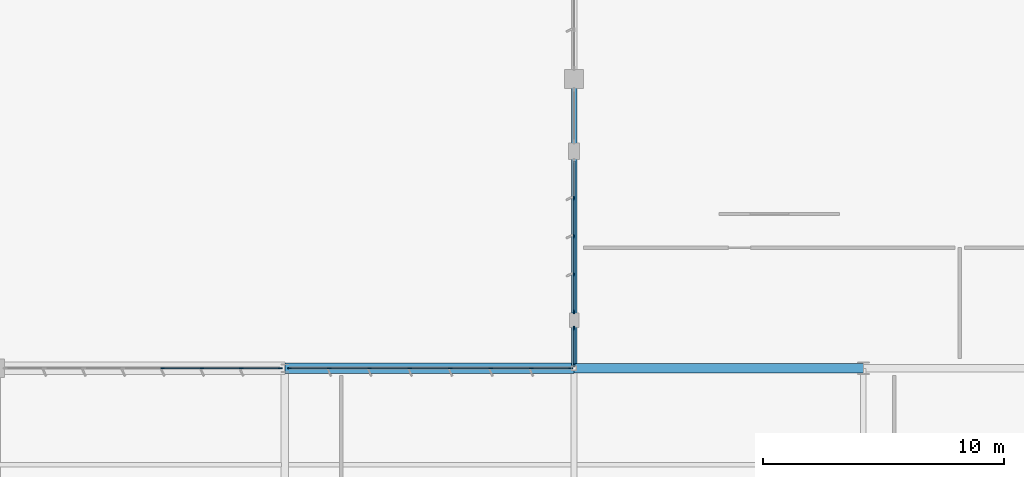
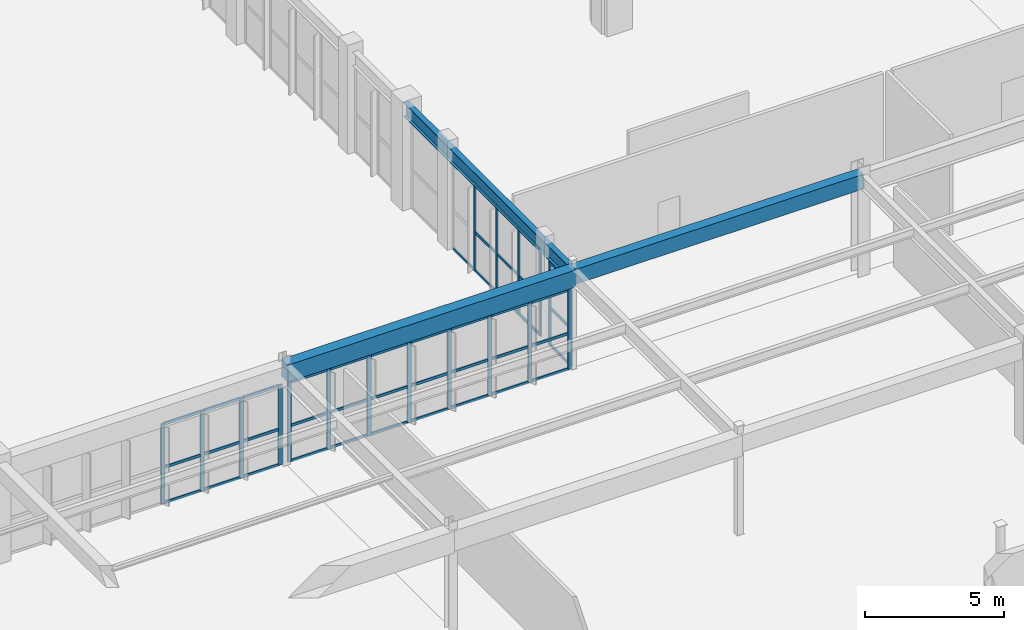
# One storey, part 79 of 199: 61 members, 3 beams, 4 elements without a shape of their own.
"""IFC4 building model written with IfcOpenShell, lengths in metres."""

import ifcopenshell
import ifcopenshell.guid

model = None  # the IFC model being written
_history = None  # IfcOwnerHistory: only IFC2X3 demands one
_inside = {}  # id of a spatial element -> (the spatial element, [elements in it])
_under = {}  # id of a project, library or spatial element -> (it, [spatial elements below it])
_declared = {}  # id of a project -> (the project, [libraries it declares])
_typed = {}  # id of a type object -> (the type object, [elements of that type])
_made_of = {}  # id of a material, layer set ... -> (it, [elements and type objects made of it])


def new_model(schema):
    """Start an empty IFC model of exactly this schema.

    Asked for "IFC4X3", IfcOpenShell would pick the latest addendum, in which some entities
    have other attributes; the version numbers below select the first issue.
    IFC2X3 requires an IfcOwnerHistory on every rooted entity: one is made here for all.
    """
    global model, _history
    if schema == "IFC4X3":
        model = ifcopenshell.file(schema_version=(4, 3, 0, 0))
    else:
        model = ifcopenshell.file(schema=schema)
    _inside.clear()
    _under.clear()
    _declared.clear()
    _typed.clear()
    _made_of.clear()
    _history = None
    if model.schema == "IFC2X3":
        org = make("IfcOrganization", Name="unknown")
        user = make(
            "IfcPersonAndOrganization",
            ThePerson=make("IfcPerson", FamilyName="unknown"),
            TheOrganization=org,
        )
        app = make(
            "IfcApplication",
            ApplicationDeveloper=org,
            Version="unknown",
            ApplicationFullName="unknown",
            ApplicationIdentifier="unknown",
        )
        _history = make(
            "IfcOwnerHistory",
            OwningUser=user,
            OwningApplication=app,
            ChangeAction="ADDED",
            CreationDate=0,
        )
    return model


def make(cls, **values):
    """One entity of the class cls with the attributes given. An attribute that is None is left unset."""
    return model.create_entity(
        cls, **{name: value for name, value in values.items() if value is not None}
    )


def rooted(cls, **values):
    """An entity with a GlobalId (a new one), such as an element, a storey or a relation."""
    return make(cls, GlobalId=ifcopenshell.guid.new(), OwnerHistory=_history, **values)


def si_unit(unit_type, name, prefix=None):
    """IfcSIUnit, for example si_unit("LENGTHUNIT", "METRE", prefix="MILLI")."""
    return make("IfcSIUnit", UnitType=unit_type, Prefix=prefix, Name=name)


def assignment(units):
    """IfcUnitAssignment: the units of a project."""
    return None if units is None else make("IfcUnitAssignment", Units=units)


def point(xyz):
    """IfcCartesianPoint."""
    return None if xyz is None else make("IfcCartesianPoint", Coordinates=xyz)


def direction(xyz):
    """IfcDirection."""
    return None if xyz is None else make("IfcDirection", DirectionRatios=xyz)


def frame(location, z_axis=None, x_axis=None):
    """IfcAxis2Placement3D, a coordinate frame: its origin and axes. An axis left out is left unset."""
    return make(
        "IfcAxis2Placement3D",
        Location=point(location),
        Axis=direction(z_axis),
        RefDirection=direction(x_axis),
    )


def frame_2d(location, x_axis=None):
    """IfcAxis2Placement2D, a coordinate frame in the plane: its origin and x axis."""
    return make(
        "IfcAxis2Placement2D", Location=point(location), RefDirection=direction(x_axis)
    )


def origin():
    """The frame at (0, 0, 0) with its axes left unset."""
    return frame((0.0, 0.0, 0.0))


def origin_2d():
    """The frame at (0, 0) in the plane with its x axis left unset."""
    return frame_2d((0.0, 0.0))


def place(relative_to, where):
    """IfcLocalPlacement: puts the frame where relative to a parent placement (None: the world)."""
    return make(
        "IfcLocalPlacement", PlacementRelTo=relative_to, RelativePlacement=where
    )


def context(
    kind, dimensions, precision=None, world=None, true_north=None, identifier=None
):
    """IfcGeometricRepresentationContext, for example the 3D "Model" context."""
    return make(
        "IfcGeometricRepresentationContext",
        ContextIdentifier=identifier,
        ContextType=kind,
        CoordinateSpaceDimension=dimensions,
        Precision=precision,
        WorldCoordinateSystem=world,
        TrueNorth=true_north,
    )


def subcontext(parent, identifier, kind, view, scale=None):
    """IfcGeometricRepresentationSubContext, for example "Body" below "Model"."""
    return make(
        "IfcGeometricRepresentationSubContext",
        ContextIdentifier=identifier,
        ContextType=kind,
        ParentContext=parent,
        TargetScale=scale,
        TargetView=view,
    )


def project(units=None, contexts=None):
    """IfcProject with its units and contexts."""
    return rooted(
        "IfcProject",
        Name="project",
        RepresentationContexts=contexts,
        UnitsInContext=assignment(units),
    )


def spatial(cls, under=None, at=None, **own):
    """A site, building, storey or space (cls), placed at a placement, below another one or the project."""
    s = rooted(cls, ObjectPlacement=at, **own)
    if under is not None:
        _under.setdefault(under.id(), (under, []))[1].append(s)
    return s


def profile(cls, at=None, kind="AREA", **sizes):
    """A parametric profile (cls). Its sizes go by their IFC names, for example OverallWidth=200.0."""
    return make(cls, ProfileType=kind, Position=at, **sizes)


def rectangle(**sizes):
    """IfcRectangleProfileDef."""
    return profile("IfcRectangleProfileDef", **sizes)


def i_section(**sizes):
    """IfcIShapeProfileDef."""
    return profile("IfcIShapeProfileDef", **sizes)


def extrude(swept, where, along, depth):
    """IfcExtrudedAreaSolid: the profile swept, set in the frame where, extruded along a direction by depth."""
    return make(
        "IfcExtrudedAreaSolid",
        SweptArea=swept,
        Position=where,
        ExtrudedDirection=direction(along),
        Depth=depth,
    )


def shape(context_of_items, identifier, shape_type, items):
    """IfcShapeRepresentation: the items that make up one representation, for example the "Body"."""
    return make(
        "IfcShapeRepresentation",
        ContextOfItems=context_of_items,
        RepresentationIdentifier=identifier,
        RepresentationType=shape_type,
        Items=items,
    )


def material(Name=None, Category=None):
    """IfcMaterial."""
    return make("IfcMaterial", Name=Name, Category=Category)


def layer(
    of_material, thickness, ventilated=None, Name=None, Category=None, Priority=None
):
    """IfcMaterialLayer: one layer of a wall or slab, of a material (None: an air gap)."""
    return make(
        "IfcMaterialLayer",
        Material=of_material,
        LayerThickness=thickness,
        IsVentilated=ventilated,
        Name=Name,
        Category=Category,
        Priority=Priority,
    )


def layer_set(layers, Name=None):
    """IfcMaterialLayerSet."""
    return make("IfcMaterialLayerSet", MaterialLayers=layers, LayerSetName=Name)


def material_profile(
    of_material, cross_section, Name=None, Category=None, Priority=None
):
    """IfcMaterialProfile: a cross section and its material."""
    return make(
        "IfcMaterialProfile",
        Name=Name,
        Material=of_material,
        Profile=cross_section,
        Priority=Priority,
        Category=Category,
    )


def profile_set(profiles, Name=None, composite=None):
    """IfcMaterialProfileSet."""
    return make(
        "IfcMaterialProfileSet",
        Name=Name,
        MaterialProfiles=profiles,
        CompositeProfile=composite,
    )


def made_of(thing, what):
    """Note that an element or type object is made of a material, layer set ...; save() writes the relation."""
    if what is not None:
        _made_of.setdefault(what.id(), (what, []))[1].append(thing)
    return thing


def type_object(cls, material=None, **own):
    """A type object (cls), such as IfcWallType, which elements share."""
    return made_of(rooted(cls, **own), material)


def element(
    cls,
    number,
    at=None,
    inside=None,
    cuts=None,
    type_object=None,
    material=None,
    context=None,
    identifier="Body",
    shape_type=None,
    held_by="IfcProductDefinitionShape",
    body=None,
    shapes=None,
    **own,
):
    """One element of the class cls, such as IfcWall. Its Tag is "e" and its number.

    at: its placement. inside: the storey or other place that contains it. cuts: it is an
    opening in that element (IfcRelVoidsElement). A single representation is given by context,
    identifier, shape_type and body (its items); several are given by shapes. held_by: the class
    of the entity that holds the representations. save() writes the other relations.
    """
    e = rooted(cls, Tag="e%d" % number, ObjectPlacement=at, **own)
    if body is not None:
        shapes = [shape(context, identifier, shape_type, body)]
    if shapes is not None:
        e.Representation = make(held_by, Representations=shapes)
    if inside is not None:
        _inside.setdefault(inside.id(), (inside, []))[1].append(e)
    if cuts is not None:
        rooted(
            "IfcRelVoidsElement", RelatingBuildingElement=cuts, RelatedOpeningElement=e
        )
    if type_object is not None:
        _typed.setdefault(type_object.id(), (type_object, []))[1].append(e)
    return made_of(e, material)


def aggregate(whole, parts):
    """IfcRelAggregates: a whole, such as a stair, and the parts it consists of."""
    return rooted("IfcRelAggregates", RelatingObject=whole, RelatedObjects=parts)


def save(model, path):
    """Write the relations noted so far, then the file.

    IfcRelAggregates (storeys below a building ...), IfcRelContainedInSpatialStructure (elements
    in a storey), IfcRelDefinesByType, IfcRelAssociatesMaterial and IfcRelDeclares: one each for
    every whole, place, type object, material and project.
    """
    for whole, parts in _under.values():
        aggregate(whole, parts)
    for where, things in _inside.values():
        rooted(
            "IfcRelContainedInSpatialStructure",
            RelatedElements=things,
            RelatingStructure=where,
        )
    for kind, things in _typed.values():
        rooted("IfcRelDefinesByType", RelatedObjects=things, RelatingType=kind)
    for what, things in _made_of.values():
        rooted("IfcRelAssociatesMaterial", RelatedObjects=things, RelatingMaterial=what)
    for by, libraries in _declared.values():
        rooted("IfcRelDeclares", RelatingContext=by, RelatedDefinitions=libraries)
    model.write(path)


model = new_model("IFC4")

# Units and contexts
model_context = context("Model", 3, precision=1e-05, world=origin(), true_north=direction((0.0, 1.0)))
body_context = subcontext(model_context, "Body", "Model", "MODEL_VIEW")
ifc_project = project(units=[si_unit("LENGTHUNIT", "METRE"), si_unit("AREAUNIT", "SQUARE_METRE"), si_unit("VOLUMEUNIT", "CUBIC_METRE"), si_unit("PLANEANGLEUNIT", "RADIAN"), si_unit("MASSUNIT", "GRAM", prefix="KILO")], contexts=[model_context])

# Site, building, storey
site_placement = place(None, origin())
site = spatial("IfcSite", under=ifc_project, at=site_placement, CompositionType="ELEMENT")
building_placement = place(site_placement, origin())
building = spatial("IfcBuilding", under=site, at=building_placement, Name="Tarnwether General Hospital", CompositionType="ELEMENT")
storey_placement = place(building_placement, origin())
storey = spatial("IfcBuildingStorey", under=building, at=storey_placement, Name="L00", CompositionType="ELEMENT", Elevation=0.0)

# Beams
ifc_material_1 = material(Name="Steel Grade 350 (350 MPa)", Category="steel")
ifc_material_profile_1 = material_profile(ifc_material_1, i_section(OverallWidth=0.22900390625, OverallDepth=0.612060546875, WebThickness=0.011962890625, FlangeThickness=0.01953125, at=origin_2d()), Name="610UB125")
ifc_profile_set_1 = profile_set([ifc_material_profile_1], Name="Steel Grade 350 (350 MPa)")
beam_type_1 = type_object("IfcBeamType", Name="BM-G03", PredefinedType="BEAM", material=ifc_profile_set_1)
beam_1_placement = place(storey_placement, frame((108.0, 45.60009765625, 4.138916015625), z_axis=(0.0, 1.0, 0.0), x_axis=(-1.0, 0.0, 0.0)))
element("IfcBeam", 1, at=beam_1_placement, inside=storey, type_object=beam_type_1, Name="Primary Girder BMG-L00-10800_4560-10800_5760-0750", PredefinedType="BEAM", context=body_context, shape_type="SweptSolid", body=[
    extrude(i_section(OverallWidth=0.22900390625, OverallDepth=0.612060546875, WebThickness=0.011962890625, FlangeThickness=0.01953125, at=origin_2d()), origin(), (0.0, 0.0, 1.0), 12.0),
])
ifc_material_2 = material(Name="Concrete 40 MPa", Category="concrete")
ifc_material_profile_2 = material_profile(ifc_material_2, rectangle(XDim=0.449951171875, YDim=0.75, at=origin_2d()), Name="RC-BM-450x750")
ifc_profile_set_2 = profile_set([ifc_material_profile_2], Name="Concrete 40 MPa")
beam_type_2 = type_object("IfcBeamType", Name="BM-G13", PredefinedType="BEAM", material=ifc_profile_set_2)
beam_2_placement = place(storey_placement, frame((96.0, 45.60009765625, 4.070068359375), z_axis=(1.0, 0.0, 0.0), x_axis=(0.0, 1.0, 0.0)))
element("IfcBeam", 2, at=beam_2_placement, inside=storey, type_object=beam_type_2, Name="Primary Girder BMG-L00-9600_4560-10800_4560-0738", PredefinedType="BEAM", context=body_context, shape_type="SweptSolid", body=[
    extrude(rectangle(XDim=0.449951171875, YDim=0.75, at=origin_2d()), origin(), (0.0, 0.0, 1.0), 12.0),
])
ifc_material_3 = material(Name="Concrete 40 MPa", Category="concrete")
ifc_material_profile_3 = material_profile(ifc_material_3, rectangle(XDim=0.39990234375, YDim=0.64990234375, at=origin_2d()), Name="RC-BM-400x650")
ifc_profile_set_3 = profile_set([ifc_material_profile_3], Name="Concrete 40 MPa")
beam_type_3 = type_object("IfcBeamType", Name="BM-G14", PredefinedType="BEAM", material=ifc_profile_set_3)
beam_3_placement = place(storey_placement, frame((108.0, 45.60009765625, 4.1201171875), z_axis=(1.0, 0.0, 0.0), x_axis=(0.0, 1.0, 0.0)))
element("IfcBeam", 3, at=beam_3_placement, inside=storey, type_object=beam_type_3, Name="Primary Girder BMG-L00-10800_4560-12000_4560-0749", PredefinedType="BEAM", context=body_context, shape_type="SweptSolid", body=[
    extrude(rectangle(XDim=0.39990234375, YDim=0.64990234375, at=origin_2d()), origin(), (0.0, 0.0, 1.0), 12.0),
])

# Curtain wall, members
ifc_material_4 = material(Name="Anodised aluminium", Category="aluminium")
ifc_layer_1 = layer(ifc_material_4, 0.179931640625)
ifc_layer_set_1 = layer_set([ifc_layer_1], Name="Anodised aluminium")
curtain_wall_type_1 = type_object("IfcCurtainWallType", Name="CW-08", PredefinedType="NOTDEFINED", material=ifc_layer_set_1)
curtain_wall_1_placement = place(storey_placement, origin())
curtain_wall_1 = element("IfcCurtainWall", 4, at=curtain_wall_1_placement, inside=storey, type_object=curtain_wall_type_1, Name="Curtain Wall CWG-L00-1080_457-0298", PredefinedType="NOTDEFINED")
ifc_material_5 = material(Name="Anodised aluminium", Category="aluminium")
ifc_material_profile_4 = material_profile(ifc_material_5, rectangle(XDim=0.06005859375, YDim=0.159912109375, at=origin_2d()), Name="ALU-MUL-60x160")
ifc_profile_set_4 = profile_set([ifc_material_profile_4], Name="Anodised aluminium")
member_type_1 = type_object("IfcMemberType", Name="CW-ML1", PredefinedType="MULLION", material=ifc_profile_set_4)
member_1_placement = place(storey_placement, frame((108.0, 45.738037109375, 0.0), z_axis=(0.0, 0.0, 1.0), x_axis=(-1.0, 0.0, 0.0)))
member_1 = element("IfcMember", 5, at=member_1_placement, type_object=member_type_1, Name="CW-08 mullion 1", PredefinedType="MULLION", context=body_context, shape_type="SweptSolid", body=[
    extrude(rectangle(XDim=0.06005859375, YDim=0.159912109375, at=origin_2d()), origin(), (0.0, 0.0, 1.0), 3.679931640625),
])
member_2_placement = place(storey_placement, frame((108.0, 47.261962890625, 0.0), z_axis=(0.0, 0.0, 1.0), x_axis=(-1.0, 0.0, 0.0)))
member_2 = element("IfcMember", 6, at=member_2_placement, type_object=member_type_1, Name="CW-08 mullion 2", PredefinedType="MULLION", context=body_context, shape_type="SweptSolid", body=[
    extrude(rectangle(XDim=0.06005859375, YDim=0.159912109375, at=origin_2d()), origin(), (0.0, 0.0, 1.0), 3.679931640625),
])

curtain_wall_2_placement = place(storey_placement, origin())
curtain_wall_2 = element("IfcCurtainWall", 7, at=curtain_wall_2_placement, inside=storey, type_object=curtain_wall_type_1, Name="Curtain Wall CWG-L00-1080_479-0299", PredefinedType="NOTDEFINED")
member_3_placement = place(storey_placement, frame((108.0, 47.93798828125, 0.0), z_axis=(0.0, 0.0, 1.0), x_axis=(-1.0, 0.0, 0.0)))
member_3 = element("IfcMember", 8, at=member_3_placement, type_object=member_type_1, Name="CW-08 mullion 1", PredefinedType="MULLION", context=body_context, shape_type="SweptSolid", body=[
    extrude(rectangle(XDim=0.06005859375, YDim=0.159912109375, at=origin_2d()), origin(), (0.0, 0.0, 1.0), 3.818115234375),
])
member_4_placement = place(storey_placement, frame((108.0, 49.491455078125, 0.0), z_axis=(0.0, 0.0, 1.0), x_axis=(-1.0, 0.0, 0.0)))
member_4 = element("IfcMember", 9, at=member_4_placement, type_object=member_type_1, Name="CW-08 mullion 2", PredefinedType="MULLION", context=body_context, shape_type="SweptSolid", body=[
    extrude(rectangle(XDim=0.06005859375, YDim=0.159912109375, at=origin_2d()), origin(), (0.0, 0.0, 1.0), 3.818115234375),
])
member_5_placement = place(storey_placement, frame((108.0, 51.074951171875, 0.0), z_axis=(0.0, 0.0, 1.0), x_axis=(-1.0, 0.0, 0.0)))
member_5 = element("IfcMember", 10, at=member_5_placement, type_object=member_type_1, Name="CW-08 mullion 3", PredefinedType="MULLION", context=body_context, shape_type="SweptSolid", body=[
    extrude(rectangle(XDim=0.06005859375, YDim=0.159912109375, at=origin_2d()), origin(), (0.0, 0.0, 1.0), 3.818115234375),
])
member_6_placement = place(storey_placement, frame((108.0, 52.658447265625, 0.0), z_axis=(0.0, 0.0, 1.0), x_axis=(-1.0, 0.0, 0.0)))
member_6 = element("IfcMember", 11, at=member_6_placement, type_object=member_type_1, Name="CW-08 mullion 4", PredefinedType="MULLION", context=body_context, shape_type="SweptSolid", body=[
    extrude(rectangle(XDim=0.06005859375, YDim=0.159912109375, at=origin_2d()), origin(), (0.0, 0.0, 1.0), 3.818115234375),
])

ifc_material_6 = material(Name="Anodised aluminium", Category="aluminium")
ifc_layer_2 = layer(ifc_material_6, 0.159912109375)
ifc_layer_set_2 = layer_set([ifc_layer_2], Name="Anodised aluminium")
curtain_wall_type_2 = type_object("IfcCurtainWallType", Name="CW-24", PredefinedType="NOTDEFINED", material=ifc_layer_set_2)
curtain_wall_3_placement = place(storey_placement, origin())
curtain_wall_3 = element("IfcCurtainWall", 12, at=curtain_wall_3_placement, inside=storey, type_object=curtain_wall_type_2, Name="Curtain Wall CWG-L00-1079_456-0309", PredefinedType="NOTDEFINED")
member_7_placement = place(storey_placement, frame((107.862060546875, 45.60009765625, 0.0), z_axis=(0.0, 0.0, 1.0), x_axis=(0.0, -1.0, 0.0)))
member_7 = element("IfcMember", 13, at=member_7_placement, type_object=member_type_1, Name="CW-24 mullion 1", PredefinedType="MULLION", context=body_context, shape_type="SweptSolid", body=[
    extrude(rectangle(XDim=0.06005859375, YDim=0.159912109375, at=origin_2d()), origin(), (0.0, 0.0, 1.0), 3.530029296875),
])
member_8_placement = place(storey_placement, frame((106.21630859375, 45.60009765625, 0.0), z_axis=(0.0, 0.0, 1.0), x_axis=(0.0, -1.0, 0.0)))
member_8 = element("IfcMember", 14, at=member_8_placement, type_object=member_type_1, Name="CW-24 mullion 2", PredefinedType="MULLION", context=body_context, shape_type="SweptSolid", body=[
    extrude(rectangle(XDim=0.06005859375, YDim=0.159912109375, at=origin_2d()), origin(), (0.0, 0.0, 1.0), 3.530029296875),
])
member_9_placement = place(storey_placement, frame((104.540771484375, 45.60009765625, 0.0), z_axis=(0.0, 0.0, 1.0), x_axis=(0.0, -1.0, 0.0)))
member_9 = element("IfcMember", 15, at=member_9_placement, type_object=member_type_1, Name="CW-24 mullion 3", PredefinedType="MULLION", context=body_context, shape_type="SweptSolid", body=[
    extrude(rectangle(XDim=0.06005859375, YDim=0.159912109375, at=origin_2d()), origin(), (0.0, 0.0, 1.0), 3.530029296875),
])
member_10_placement = place(storey_placement, frame((102.865234375, 45.60009765625, 0.0), z_axis=(0.0, 0.0, 1.0), x_axis=(0.0, -1.0, 0.0)))
member_10 = element("IfcMember", 16, at=member_10_placement, type_object=member_type_1, Name="CW-24 mullion 4", PredefinedType="MULLION", context=body_context, shape_type="SweptSolid", body=[
    extrude(rectangle(XDim=0.06005859375, YDim=0.159912109375, at=origin_2d()), origin(), (0.0, 0.0, 1.0), 3.530029296875),
])
member_11_placement = place(storey_placement, frame((101.189697265625, 45.60009765625, 0.0), z_axis=(0.0, 0.0, 1.0), x_axis=(0.0, -1.0, 0.0)))
member_11 = element("IfcMember", 17, at=member_11_placement, type_object=member_type_1, Name="CW-24 mullion 5", PredefinedType="MULLION", context=body_context, shape_type="SweptSolid", body=[
    extrude(rectangle(XDim=0.06005859375, YDim=0.159912109375, at=origin_2d()), origin(), (0.0, 0.0, 1.0), 3.530029296875),
])
member_12_placement = place(storey_placement, frame((99.51416015625, 45.60009765625, 0.0), z_axis=(0.0, 0.0, 1.0), x_axis=(0.0, -1.0, 0.0)))
member_12 = element("IfcMember", 18, at=member_12_placement, type_object=member_type_1, Name="CW-24 mullion 6", PredefinedType="MULLION", context=body_context, shape_type="SweptSolid", body=[
    extrude(rectangle(XDim=0.06005859375, YDim=0.159912109375, at=origin_2d()), origin(), (0.0, 0.0, 1.0), 3.530029296875),
])
member_13_placement = place(storey_placement, frame((97.838623046875, 45.60009765625, 0.0), z_axis=(0.0, 0.0, 1.0), x_axis=(0.0, -1.0, 0.0)))
member_13 = element("IfcMember", 19, at=member_13_placement, type_object=member_type_1, Name="CW-24 mullion 7", PredefinedType="MULLION", context=body_context, shape_type="SweptSolid", body=[
    extrude(rectangle(XDim=0.06005859375, YDim=0.159912109375, at=origin_2d()), origin(), (0.0, 0.0, 1.0), 3.530029296875),
])
member_14_placement = place(storey_placement, frame((96.193115234375, 45.60009765625, 0.0), z_axis=(0.0, 0.0, 1.0), x_axis=(0.0, -1.0, 0.0)))
member_14 = element("IfcMember", 20, at=member_14_placement, type_object=member_type_1, Name="CW-24 mullion 8", PredefinedType="MULLION", context=body_context, shape_type="SweptSolid", body=[
    extrude(rectangle(XDim=0.06005859375, YDim=0.159912109375, at=origin_2d()), origin(), (0.0, 0.0, 1.0), 3.530029296875),
])

curtain_wall_4_placement = place(storey_placement, origin())
curtain_wall_4 = element("IfcCurtainWall", 21, at=curtain_wall_4_placement, inside=storey, type_object=curtain_wall_type_2, Name="Curtain Wall CWG-L00-958_456-0310", PredefinedType="NOTDEFINED")
member_15_placement = place(storey_placement, frame((95.806884765625, 45.60009765625, 0.0), z_axis=(0.0, 0.0, 1.0), x_axis=(0.0, -1.0, 0.0)))
member_15 = element("IfcMember", 22, at=member_15_placement, type_object=member_type_1, Name="CW-24 mullion 1", PredefinedType="MULLION", context=body_context, shape_type="SweptSolid", body=[
    extrude(rectangle(XDim=0.06005859375, YDim=0.159912109375, at=origin_2d()), origin(), (0.0, 0.0, 1.0), 3.530029296875),
])
member_16_placement = place(storey_placement, frame((94.20068359375, 45.60009765625, 0.0), z_axis=(0.0, 0.0, 1.0), x_axis=(0.0, -1.0, 0.0)))
member_16 = element("IfcMember", 23, at=member_16_placement, type_object=member_type_1, Name="CW-24 mullion 2", PredefinedType="MULLION", context=body_context, shape_type="SweptSolid", body=[
    extrude(rectangle(XDim=0.06005859375, YDim=0.159912109375, at=origin_2d()), origin(), (0.0, 0.0, 1.0), 3.530029296875),
])
member_17_placement = place(storey_placement, frame((92.564453125, 45.60009765625, 0.0), z_axis=(0.0, 0.0, 1.0), x_axis=(0.0, -1.0, 0.0)))
member_17 = element("IfcMember", 24, at=member_17_placement, type_object=member_type_1, Name="CW-24 mullion 3", PredefinedType="MULLION", context=body_context, shape_type="SweptSolid", body=[
    extrude(rectangle(XDim=0.06005859375, YDim=0.159912109375, at=origin_2d()), origin(), (0.0, 0.0, 1.0), 3.530029296875),
])
member_18_placement = place(storey_placement, frame((90.92822265625, 45.60009765625, 0.0), z_axis=(0.0, 0.0, 1.0), x_axis=(0.0, -1.0, 0.0)))
member_18 = element("IfcMember", 25, at=member_18_placement, type_object=member_type_1, Name="CW-24 mullion 4", PredefinedType="MULLION", context=body_context, shape_type="SweptSolid", body=[
    extrude(rectangle(XDim=0.06005859375, YDim=0.159912109375, at=origin_2d()), origin(), (0.0, 0.0, 1.0), 3.530029296875),
])

# Member
ifc_material_7 = material(Name="Anodised aluminium", Category="aluminium")
ifc_material_profile_5 = material_profile(ifc_material_7, rectangle(XDim=0.06005859375, YDim=0.1201171875, at=origin_2d()), Name="ALU-TRN-60x120")
ifc_profile_set_5 = profile_set([ifc_material_profile_5], Name="Anodised aluminium")
member_type_2 = type_object("IfcMemberType", Name="CW-TR1", PredefinedType="USERDEFINED", material=ifc_profile_set_5)
member_19_placement = place(storey_placement, frame((108.0, 45.76806640625, 0.030029296875), z_axis=(0.0, 1.0, 0.0), x_axis=(-1.0, 0.0, 0.0)))
member_19 = element("IfcMember", 26, at=member_19_placement, type_object=member_type_2, Name="CW-08 transom 1.1", ObjectType="TRANSOM", PredefinedType="USERDEFINED", context=body_context, shape_type="SweptSolid", body=[
    extrude(rectangle(XDim=0.06005859375, YDim=0.1201171875, at=origin_2d()), origin(), (0.0, 0.0, 1.0), 1.4638671875),
])

member_20_placement = place(storey_placement, frame((108.0, 45.76806640625, 1.656005859375), z_axis=(0.0, 1.0, 0.0), x_axis=(-1.0, 0.0, 0.0)))
member_20 = element("IfcMember", 27, at=member_20_placement, type_object=member_type_2, Name="CW-08 transom 1.2", ObjectType="TRANSOM", PredefinedType="USERDEFINED", context=body_context, shape_type="SweptSolid", body=[
    extrude(rectangle(XDim=0.06005859375, YDim=0.1201171875, at=origin_2d()), origin(), (0.0, 0.0, 1.0), 1.4638671875),
])

member_21_placement = place(storey_placement, frame((108.0, 45.76806640625, 3.64990234375), z_axis=(0.0, 1.0, 0.0), x_axis=(-1.0, 0.0, 0.0)))
member_21 = element("IfcMember", 28, at=member_21_placement, type_object=member_type_2, Name="CW-08 transom 1.3", ObjectType="TRANSOM", PredefinedType="USERDEFINED", context=body_context, shape_type="SweptSolid", body=[
    extrude(rectangle(XDim=0.06005859375, YDim=0.1201171875, at=origin_2d()), origin(), (0.0, 0.0, 1.0), 1.4638671875),
])

aggregate(curtain_wall_1, [member_1, member_2, member_19, member_20, member_21])

member_22_placement = place(storey_placement, frame((108.0, 47.968017578125, 0.030029296875), z_axis=(0.0, 1.0, 0.0), x_axis=(-1.0, 0.0, 0.0)))
member_22 = element("IfcMember", 29, at=member_22_placement, type_object=member_type_2, Name="CW-08 transom 1.1", ObjectType="TRANSOM", PredefinedType="USERDEFINED", context=body_context, shape_type="SweptSolid", body=[
    extrude(rectangle(XDim=0.06005859375, YDim=0.1201171875, at=origin_2d()), origin(), (0.0, 0.0, 1.0), 1.493408203125),
])

member_23_placement = place(storey_placement, frame((108.0, 47.968017578125, 1.718017578125), z_axis=(0.0, 1.0, 0.0), x_axis=(-1.0, 0.0, 0.0)))
member_23 = element("IfcMember", 30, at=member_23_placement, type_object=member_type_2, Name="CW-08 transom 1.2", ObjectType="TRANSOM", PredefinedType="USERDEFINED", context=body_context, shape_type="SweptSolid", body=[
    extrude(rectangle(XDim=0.06005859375, YDim=0.1201171875, at=origin_2d()), origin(), (0.0, 0.0, 1.0), 1.493408203125),
])

member_24_placement = place(storey_placement, frame((108.0, 47.968017578125, 3.7880859375), z_axis=(0.0, 1.0, 0.0), x_axis=(-1.0, 0.0, 0.0)))
member_24 = element("IfcMember", 31, at=member_24_placement, type_object=member_type_2, Name="CW-08 transom 1.3", ObjectType="TRANSOM", PredefinedType="USERDEFINED", context=body_context, shape_type="SweptSolid", body=[
    extrude(rectangle(XDim=0.06005859375, YDim=0.1201171875, at=origin_2d()), origin(), (0.0, 0.0, 1.0), 1.493408203125),
])

member_25_placement = place(storey_placement, frame((108.0, 49.521484375, 0.030029296875), z_axis=(0.0, 1.0, 0.0), x_axis=(-1.0, 0.0, 0.0)))
member_25 = element("IfcMember", 32, at=member_25_placement, type_object=member_type_2, Name="CW-08 transom 2.1", ObjectType="TRANSOM", PredefinedType="USERDEFINED", context=body_context, shape_type="SweptSolid", body=[
    extrude(rectangle(XDim=0.06005859375, YDim=0.1201171875, at=origin_2d()), origin(), (0.0, 0.0, 1.0), 1.5234375),
])

member_26_placement = place(storey_placement, frame((108.0, 49.521484375, 1.718017578125), z_axis=(0.0, 1.0, 0.0), x_axis=(-1.0, 0.0, 0.0)))
member_26 = element("IfcMember", 33, at=member_26_placement, type_object=member_type_2, Name="CW-08 transom 2.2", ObjectType="TRANSOM", PredefinedType="USERDEFINED", context=body_context, shape_type="SweptSolid", body=[
    extrude(rectangle(XDim=0.06005859375, YDim=0.1201171875, at=origin_2d()), origin(), (0.0, 0.0, 1.0), 1.5234375),
])

member_27_placement = place(storey_placement, frame((108.0, 49.521484375, 3.7880859375), z_axis=(0.0, 1.0, 0.0), x_axis=(-1.0, 0.0, 0.0)))
member_27 = element("IfcMember", 34, at=member_27_placement, type_object=member_type_2, Name="CW-08 transom 2.3", ObjectType="TRANSOM", PredefinedType="USERDEFINED", context=body_context, shape_type="SweptSolid", body=[
    extrude(rectangle(XDim=0.06005859375, YDim=0.1201171875, at=origin_2d()), origin(), (0.0, 0.0, 1.0), 1.5234375),
])

member_28_placement = place(storey_placement, frame((108.0, 51.10498046875, 0.030029296875), z_axis=(0.0, 1.0, 0.0), x_axis=(-1.0, 0.0, 0.0)))
member_28 = element("IfcMember", 35, at=member_28_placement, type_object=member_type_2, Name="CW-08 transom 3.1", ObjectType="TRANSOM", PredefinedType="USERDEFINED", context=body_context, shape_type="SweptSolid", body=[
    extrude(rectangle(XDim=0.06005859375, YDim=0.1201171875, at=origin_2d()), origin(), (0.0, 0.0, 1.0), 1.5234375),
])

member_29_placement = place(storey_placement, frame((108.0, 51.10498046875, 1.718017578125), z_axis=(0.0, 1.0, 0.0), x_axis=(-1.0, 0.0, 0.0)))
member_29 = element("IfcMember", 36, at=member_29_placement, type_object=member_type_2, Name="CW-08 transom 3.2", ObjectType="TRANSOM", PredefinedType="USERDEFINED", context=body_context, shape_type="SweptSolid", body=[
    extrude(rectangle(XDim=0.06005859375, YDim=0.1201171875, at=origin_2d()), origin(), (0.0, 0.0, 1.0), 1.5234375),
])

member_30_placement = place(storey_placement, frame((108.0, 51.10498046875, 3.7880859375), z_axis=(0.0, 1.0, 0.0), x_axis=(-1.0, 0.0, 0.0)))
member_30 = element("IfcMember", 37, at=member_30_placement, type_object=member_type_2, Name="CW-08 transom 3.3", ObjectType="TRANSOM", PredefinedType="USERDEFINED", context=body_context, shape_type="SweptSolid", body=[
    extrude(rectangle(XDim=0.06005859375, YDim=0.1201171875, at=origin_2d()), origin(), (0.0, 0.0, 1.0), 1.5234375),
])

member_31_placement = place(storey_placement, frame((108.0, 52.6884765625, 0.030029296875), z_axis=(0.0, 1.0, 0.0), x_axis=(-1.0, 0.0, 0.0)))
member_31 = element("IfcMember", 38, at=member_31_placement, type_object=member_type_2, Name="CW-08 transom 4.1", ObjectType="TRANSOM", PredefinedType="USERDEFINED", context=body_context, shape_type="SweptSolid", body=[
    extrude(rectangle(XDim=0.06005859375, YDim=0.1201171875, at=origin_2d()), origin(), (0.0, 0.0, 1.0), 1.493408203125),
])

aggregate(curtain_wall_2, [member_3, member_4, member_5, member_6, member_22, member_23, member_24, member_25, member_26, member_27, member_28, member_29, member_30, member_31])

member_32_placement = place(storey_placement, frame((107.83203125, 45.60009765625, 0.030029296875), z_axis=(-1.0, 0.0, 0.0), x_axis=(0.0, -1.0, 0.0)))
member_32 = element("IfcMember", 39, at=member_32_placement, type_object=member_type_2, Name="CW-24 transom 1.1", ObjectType="TRANSOM", PredefinedType="USERDEFINED", context=body_context, shape_type="SweptSolid", body=[
    extrude(rectangle(XDim=0.06005859375, YDim=0.1201171875, at=origin_2d()), origin(), (0.0, 0.0, 1.0), 1.585693359375),
])

member_33_placement = place(storey_placement, frame((107.83203125, 45.60009765625, 1.58837890625), z_axis=(-1.0, 0.0, 0.0), x_axis=(0.0, -1.0, 0.0)))
member_33 = element("IfcMember", 40, at=member_33_placement, type_object=member_type_2, Name="CW-24 transom 1.2", ObjectType="TRANSOM", PredefinedType="USERDEFINED", context=body_context, shape_type="SweptSolid", body=[
    extrude(rectangle(XDim=0.06005859375, YDim=0.1201171875, at=origin_2d()), origin(), (0.0, 0.0, 1.0), 1.585693359375),
])

member_34_placement = place(storey_placement, frame((107.83203125, 45.60009765625, 3.5), z_axis=(-1.0, 0.0, 0.0), x_axis=(0.0, -1.0, 0.0)))
member_34 = element("IfcMember", 41, at=member_34_placement, type_object=member_type_2, Name="CW-24 transom 1.3", ObjectType="TRANSOM", PredefinedType="USERDEFINED", context=body_context, shape_type="SweptSolid", body=[
    extrude(rectangle(XDim=0.06005859375, YDim=0.1201171875, at=origin_2d()), origin(), (0.0, 0.0, 1.0), 1.585693359375),
])

member_35_placement = place(storey_placement, frame((106.1865234375, 45.60009765625, 0.030029296875), z_axis=(-1.0, 0.0, 0.0), x_axis=(0.0, -1.0, 0.0)))
member_35 = element("IfcMember", 42, at=member_35_placement, type_object=member_type_2, Name="CW-24 transom 2.1", ObjectType="TRANSOM", PredefinedType="USERDEFINED", context=body_context, shape_type="SweptSolid", body=[
    extrude(rectangle(XDim=0.06005859375, YDim=0.1201171875, at=origin_2d()), origin(), (0.0, 0.0, 1.0), 1.61572265625),
])

member_36_placement = place(storey_placement, frame((106.1865234375, 45.60009765625, 1.58837890625), z_axis=(-1.0, 0.0, 0.0), x_axis=(0.0, -1.0, 0.0)))
member_36 = element("IfcMember", 43, at=member_36_placement, type_object=member_type_2, Name="CW-24 transom 2.2", ObjectType="TRANSOM", PredefinedType="USERDEFINED", context=body_context, shape_type="SweptSolid", body=[
    extrude(rectangle(XDim=0.06005859375, YDim=0.1201171875, at=origin_2d()), origin(), (0.0, 0.0, 1.0), 1.61572265625),
])

member_37_placement = place(storey_placement, frame((106.1865234375, 45.60009765625, 3.5), z_axis=(-1.0, 0.0, 0.0), x_axis=(0.0, -1.0, 0.0)))
member_37 = element("IfcMember", 44, at=member_37_placement, type_object=member_type_2, Name="CW-24 transom 2.3", ObjectType="TRANSOM", PredefinedType="USERDEFINED", context=body_context, shape_type="SweptSolid", body=[
    extrude(rectangle(XDim=0.06005859375, YDim=0.1201171875, at=origin_2d()), origin(), (0.0, 0.0, 1.0), 1.61572265625),
])

member_38_placement = place(storey_placement, frame((104.5107421875, 45.60009765625, 0.030029296875), z_axis=(-1.0, 0.0, 0.0), x_axis=(0.0, -1.0, 0.0)))
member_38 = element("IfcMember", 45, at=member_38_placement, type_object=member_type_2, Name="CW-24 transom 3.1", ObjectType="TRANSOM", PredefinedType="USERDEFINED", context=body_context, shape_type="SweptSolid", body=[
    extrude(rectangle(XDim=0.06005859375, YDim=0.1201171875, at=origin_2d()), origin(), (0.0, 0.0, 1.0), 1.615478515625),
])

member_39_placement = place(storey_placement, frame((104.5107421875, 45.60009765625, 1.58837890625), z_axis=(-1.0, 0.0, 0.0), x_axis=(0.0, -1.0, 0.0)))
member_39 = element("IfcMember", 46, at=member_39_placement, type_object=member_type_2, Name="CW-24 transom 3.2", ObjectType="TRANSOM", PredefinedType="USERDEFINED", context=body_context, shape_type="SweptSolid", body=[
    extrude(rectangle(XDim=0.06005859375, YDim=0.1201171875, at=origin_2d()), origin(), (0.0, 0.0, 1.0), 1.615478515625),
])

member_40_placement = place(storey_placement, frame((104.5107421875, 45.60009765625, 3.5), z_axis=(-1.0, 0.0, 0.0), x_axis=(0.0, -1.0, 0.0)))
member_40 = element("IfcMember", 47, at=member_40_placement, type_object=member_type_2, Name="CW-24 transom 3.3", ObjectType="TRANSOM", PredefinedType="USERDEFINED", context=body_context, shape_type="SweptSolid", body=[
    extrude(rectangle(XDim=0.06005859375, YDim=0.1201171875, at=origin_2d()), origin(), (0.0, 0.0, 1.0), 1.615478515625),
])

member_41_placement = place(storey_placement, frame((102.835205078125, 45.60009765625, 0.030029296875), z_axis=(-1.0, 0.0, 0.0), x_axis=(0.0, -1.0, 0.0)))
member_41 = element("IfcMember", 48, at=member_41_placement, type_object=member_type_2, Name="CW-24 transom 4.1", ObjectType="TRANSOM", PredefinedType="USERDEFINED", context=body_context, shape_type="SweptSolid", body=[
    extrude(rectangle(XDim=0.06005859375, YDim=0.1201171875, at=origin_2d()), origin(), (0.0, 0.0, 1.0), 1.615478515625),
])

member_42_placement = place(storey_placement, frame((102.835205078125, 45.60009765625, 1.58837890625), z_axis=(-1.0, 0.0, 0.0), x_axis=(0.0, -1.0, 0.0)))
member_42 = element("IfcMember", 49, at=member_42_placement, type_object=member_type_2, Name="CW-24 transom 4.2", ObjectType="TRANSOM", PredefinedType="USERDEFINED", context=body_context, shape_type="SweptSolid", body=[
    extrude(rectangle(XDim=0.06005859375, YDim=0.1201171875, at=origin_2d()), origin(), (0.0, 0.0, 1.0), 1.615478515625),
])

member_43_placement = place(storey_placement, frame((102.835205078125, 45.60009765625, 3.5), z_axis=(-1.0, 0.0, 0.0), x_axis=(0.0, -1.0, 0.0)))
member_43 = element("IfcMember", 50, at=member_43_placement, type_object=member_type_2, Name="CW-24 transom 4.3", ObjectType="TRANSOM", PredefinedType="USERDEFINED", context=body_context, shape_type="SweptSolid", body=[
    extrude(rectangle(XDim=0.06005859375, YDim=0.1201171875, at=origin_2d()), origin(), (0.0, 0.0, 1.0), 1.615478515625),
])

member_44_placement = place(storey_placement, frame((101.15966796875, 45.60009765625, 0.030029296875), z_axis=(-1.0, 0.0, 0.0), x_axis=(0.0, -1.0, 0.0)))
member_44 = element("IfcMember", 51, at=member_44_placement, type_object=member_type_2, Name="CW-24 transom 5.1", ObjectType="TRANSOM", PredefinedType="USERDEFINED", context=body_context, shape_type="SweptSolid", body=[
    extrude(rectangle(XDim=0.06005859375, YDim=0.1201171875, at=origin_2d()), origin(), (0.0, 0.0, 1.0), 1.615478515625),
])

member_45_placement = place(storey_placement, frame((101.15966796875, 45.60009765625, 1.58837890625), z_axis=(-1.0, 0.0, 0.0), x_axis=(0.0, -1.0, 0.0)))
member_45 = element("IfcMember", 52, at=member_45_placement, type_object=member_type_2, Name="CW-24 transom 5.2", ObjectType="TRANSOM", PredefinedType="USERDEFINED", context=body_context, shape_type="SweptSolid", body=[
    extrude(rectangle(XDim=0.06005859375, YDim=0.1201171875, at=origin_2d()), origin(), (0.0, 0.0, 1.0), 1.615478515625),
])

member_46_placement = place(storey_placement, frame((101.15966796875, 45.60009765625, 3.5), z_axis=(-1.0, 0.0, 0.0), x_axis=(0.0, -1.0, 0.0)))
member_46 = element("IfcMember", 53, at=member_46_placement, type_object=member_type_2, Name="CW-24 transom 5.3", ObjectType="TRANSOM", PredefinedType="USERDEFINED", context=body_context, shape_type="SweptSolid", body=[
    extrude(rectangle(XDim=0.06005859375, YDim=0.1201171875, at=origin_2d()), origin(), (0.0, 0.0, 1.0), 1.615478515625),
])

member_47_placement = place(storey_placement, frame((99.484130859375, 45.60009765625, 0.030029296875), z_axis=(-1.0, 0.0, 0.0), x_axis=(0.0, -1.0, 0.0)))
member_47 = element("IfcMember", 54, at=member_47_placement, type_object=member_type_2, Name="CW-24 transom 6.1", ObjectType="TRANSOM", PredefinedType="USERDEFINED", context=body_context, shape_type="SweptSolid", body=[
    extrude(rectangle(XDim=0.06005859375, YDim=0.1201171875, at=origin_2d()), origin(), (0.0, 0.0, 1.0), 1.615478515625),
])

member_48_placement = place(storey_placement, frame((99.484130859375, 45.60009765625, 1.58837890625), z_axis=(-1.0, 0.0, 0.0), x_axis=(0.0, -1.0, 0.0)))
member_48 = element("IfcMember", 55, at=member_48_placement, type_object=member_type_2, Name="CW-24 transom 6.2", ObjectType="TRANSOM", PredefinedType="USERDEFINED", context=body_context, shape_type="SweptSolid", body=[
    extrude(rectangle(XDim=0.06005859375, YDim=0.1201171875, at=origin_2d()), origin(), (0.0, 0.0, 1.0), 1.615478515625),
])

member_49_placement = place(storey_placement, frame((99.484130859375, 45.60009765625, 3.5), z_axis=(-1.0, 0.0, 0.0), x_axis=(0.0, -1.0, 0.0)))
member_49 = element("IfcMember", 56, at=member_49_placement, type_object=member_type_2, Name="CW-24 transom 6.3", ObjectType="TRANSOM", PredefinedType="USERDEFINED", context=body_context, shape_type="SweptSolid", body=[
    extrude(rectangle(XDim=0.06005859375, YDim=0.1201171875, at=origin_2d()), origin(), (0.0, 0.0, 1.0), 1.615478515625),
])

member_50_placement = place(storey_placement, frame((97.80859375, 45.60009765625, 0.030029296875), z_axis=(-1.0, 0.0, 0.0), x_axis=(0.0, -1.0, 0.0)))
member_50 = element("IfcMember", 57, at=member_50_placement, type_object=member_type_2, Name="CW-24 transom 7.1", ObjectType="TRANSOM", PredefinedType="USERDEFINED", context=body_context, shape_type="SweptSolid", body=[
    extrude(rectangle(XDim=0.06005859375, YDim=0.1201171875, at=origin_2d()), origin(), (0.0, 0.0, 1.0), 1.585693359375),
])

member_51_placement = place(storey_placement, frame((97.80859375, 45.60009765625, 1.58837890625), z_axis=(-1.0, 0.0, 0.0), x_axis=(0.0, -1.0, 0.0)))
member_51 = element("IfcMember", 58, at=member_51_placement, type_object=member_type_2, Name="CW-24 transom 7.2", ObjectType="TRANSOM", PredefinedType="USERDEFINED", context=body_context, shape_type="SweptSolid", body=[
    extrude(rectangle(XDim=0.06005859375, YDim=0.1201171875, at=origin_2d()), origin(), (0.0, 0.0, 1.0), 1.585693359375),
])

member_52_placement = place(storey_placement, frame((97.80859375, 45.60009765625, 3.5), z_axis=(-1.0, 0.0, 0.0), x_axis=(0.0, -1.0, 0.0)))
member_52 = element("IfcMember", 59, at=member_52_placement, type_object=member_type_2, Name="CW-24 transom 7.3", ObjectType="TRANSOM", PredefinedType="USERDEFINED", context=body_context, shape_type="SweptSolid", body=[
    extrude(rectangle(XDim=0.06005859375, YDim=0.1201171875, at=origin_2d()), origin(), (0.0, 0.0, 1.0), 1.585693359375),
])

aggregate(curtain_wall_3, [member_7, member_8, member_9, member_10, member_11, member_12, member_13, member_14, member_32, member_33, member_34, member_35, member_36, member_37, member_38, member_39, member_40, member_41, member_42, member_43, member_44, member_45, member_46, member_47, member_48, member_49, member_50, member_51, member_52])

member_53_placement = place(storey_placement, frame((95.777099609375, 45.60009765625, 0.030029296875), z_axis=(-1.0, 0.0, 0.0), x_axis=(0.0, -1.0, 0.0)))
member_53 = element("IfcMember", 60, at=member_53_placement, type_object=member_type_2, Name="CW-24 transom 1.1", ObjectType="TRANSOM", PredefinedType="USERDEFINED", context=body_context, shape_type="SweptSolid", body=[
    extrude(rectangle(XDim=0.06005859375, YDim=0.1201171875, at=origin_2d()), origin(), (0.0, 0.0, 1.0), 1.54638671875),
])

member_54_placement = place(storey_placement, frame((95.777099609375, 45.60009765625, 1.58837890625), z_axis=(-1.0, 0.0, 0.0), x_axis=(0.0, -1.0, 0.0)))
member_54 = element("IfcMember", 61, at=member_54_placement, type_object=member_type_2, Name="CW-24 transom 1.2", ObjectType="TRANSOM", PredefinedType="USERDEFINED", context=body_context, shape_type="SweptSolid", body=[
    extrude(rectangle(XDim=0.06005859375, YDim=0.1201171875, at=origin_2d()), origin(), (0.0, 0.0, 1.0), 1.54638671875),
])

member_55_placement = place(storey_placement, frame((95.777099609375, 45.60009765625, 3.5), z_axis=(-1.0, 0.0, 0.0), x_axis=(0.0, -1.0, 0.0)))
member_55 = element("IfcMember", 62, at=member_55_placement, type_object=member_type_2, Name="CW-24 transom 1.3", ObjectType="TRANSOM", PredefinedType="USERDEFINED", context=body_context, shape_type="SweptSolid", body=[
    extrude(rectangle(XDim=0.06005859375, YDim=0.1201171875, at=origin_2d()), origin(), (0.0, 0.0, 1.0), 1.54638671875),
])

member_56_placement = place(storey_placement, frame((94.170654296875, 45.60009765625, 0.030029296875), z_axis=(-1.0, 0.0, 0.0), x_axis=(0.0, -1.0, 0.0)))
member_56 = element("IfcMember", 63, at=member_56_placement, type_object=member_type_2, Name="CW-24 transom 2.1", ObjectType="TRANSOM", PredefinedType="USERDEFINED", context=body_context, shape_type="SweptSolid", body=[
    extrude(rectangle(XDim=0.06005859375, YDim=0.1201171875, at=origin_2d()), origin(), (0.0, 0.0, 1.0), 1.576171875),
])

member_57_placement = place(storey_placement, frame((94.170654296875, 45.60009765625, 1.58837890625), z_axis=(-1.0, 0.0, 0.0), x_axis=(0.0, -1.0, 0.0)))
member_57 = element("IfcMember", 64, at=member_57_placement, type_object=member_type_2, Name="CW-24 transom 2.2", ObjectType="TRANSOM", PredefinedType="USERDEFINED", context=body_context, shape_type="SweptSolid", body=[
    extrude(rectangle(XDim=0.06005859375, YDim=0.1201171875, at=origin_2d()), origin(), (0.0, 0.0, 1.0), 1.576171875),
])

member_58_placement = place(storey_placement, frame((94.170654296875, 45.60009765625, 3.5), z_axis=(-1.0, 0.0, 0.0), x_axis=(0.0, -1.0, 0.0)))
member_58 = element("IfcMember", 65, at=member_58_placement, type_object=member_type_2, Name="CW-24 transom 2.3", ObjectType="TRANSOM", PredefinedType="USERDEFINED", context=body_context, shape_type="SweptSolid", body=[
    extrude(rectangle(XDim=0.06005859375, YDim=0.1201171875, at=origin_2d()), origin(), (0.0, 0.0, 1.0), 1.576171875),
])

member_59_placement = place(storey_placement, frame((92.534423828125, 45.60009765625, 0.030029296875), z_axis=(-1.0, 0.0, 0.0), x_axis=(0.0, -1.0, 0.0)))
member_59 = element("IfcMember", 66, at=member_59_placement, type_object=member_type_2, Name="CW-24 transom 3.1", ObjectType="TRANSOM", PredefinedType="USERDEFINED", context=body_context, shape_type="SweptSolid", body=[
    extrude(rectangle(XDim=0.06005859375, YDim=0.1201171875, at=origin_2d()), origin(), (0.0, 0.0, 1.0), 1.576171875),
])

member_60_placement = place(storey_placement, frame((92.534423828125, 45.60009765625, 1.58837890625), z_axis=(-1.0, 0.0, 0.0), x_axis=(0.0, -1.0, 0.0)))
member_60 = element("IfcMember", 67, at=member_60_placement, type_object=member_type_2, Name="CW-24 transom 3.2", ObjectType="TRANSOM", PredefinedType="USERDEFINED", context=body_context, shape_type="SweptSolid", body=[
    extrude(rectangle(XDim=0.06005859375, YDim=0.1201171875, at=origin_2d()), origin(), (0.0, 0.0, 1.0), 1.576171875),
])

member_61_placement = place(storey_placement, frame((92.534423828125, 45.60009765625, 3.5), z_axis=(-1.0, 0.0, 0.0), x_axis=(0.0, -1.0, 0.0)))
member_61 = element("IfcMember", 68, at=member_61_placement, type_object=member_type_2, Name="CW-24 transom 3.3", ObjectType="TRANSOM", PredefinedType="USERDEFINED", context=body_context, shape_type="SweptSolid", body=[
    extrude(rectangle(XDim=0.06005859375, YDim=0.1201171875, at=origin_2d()), origin(), (0.0, 0.0, 1.0), 1.576171875),
])

aggregate(curtain_wall_4, [member_15, member_16, member_17, member_18, member_53, member_54, member_55, member_56, member_57, member_58, member_59, member_60, member_61])

save(model, "model.ifc")
